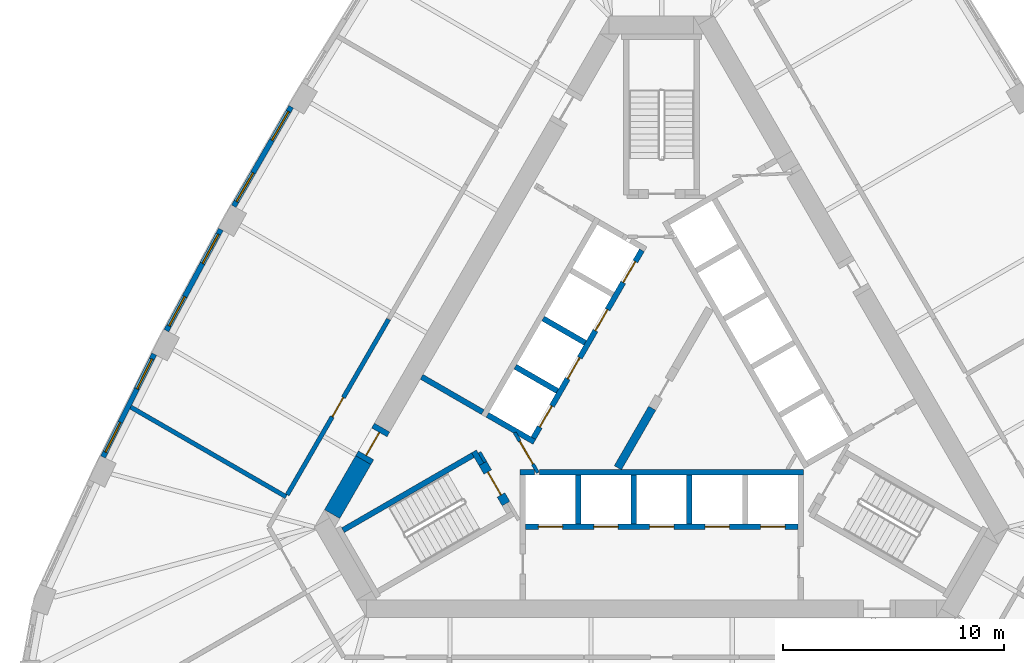
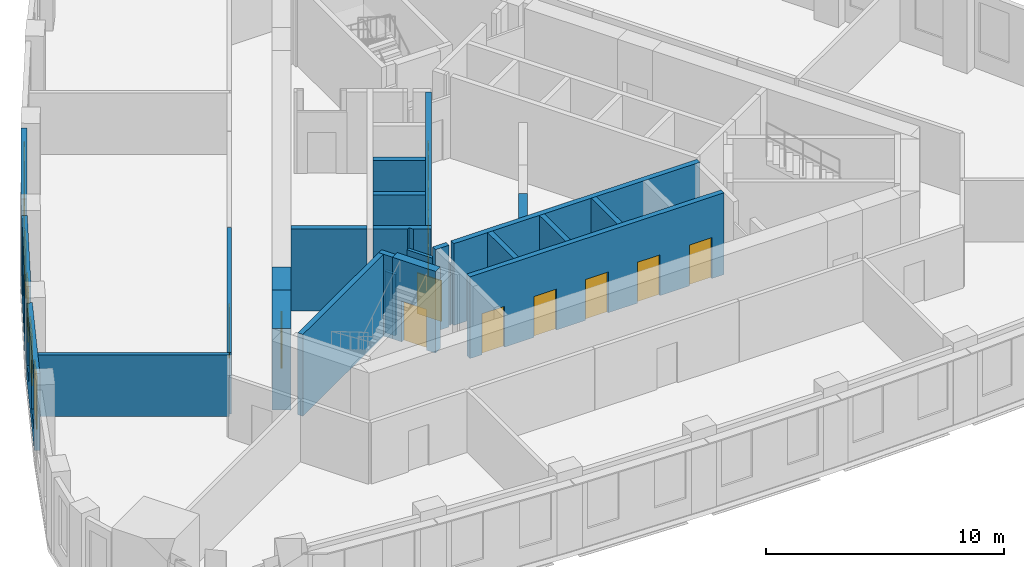
# One storey, part 4 of 9: 24 walls, 13 doors, 6 windows, 19 openings.
"""IFC4 building model written with IfcOpenShell, lengths in metres."""

import ifcopenshell
import ifcopenshell.guid

model = None  # the IFC model being written
_history = None  # IfcOwnerHistory: only IFC2X3 demands one
_inside = {}  # id of a spatial element -> (the spatial element, [elements in it])
_under = {}  # id of a project, library or spatial element -> (it, [spatial elements below it])
_declared = {}  # id of a project -> (the project, [libraries it declares])
_typed = {}  # id of a type object -> (the type object, [elements of that type])
_made_of = {}  # id of a material, layer set ... -> (it, [elements and type objects made of it])


def new_model(schema):
    """Start an empty IFC model of exactly this schema.

    Asked for "IFC4X3", IfcOpenShell would pick the latest addendum, in which some entities
    have other attributes; the version numbers below select the first issue.
    IFC2X3 requires an IfcOwnerHistory on every rooted entity: one is made here for all.
    """
    global model, _history
    if schema == "IFC4X3":
        model = ifcopenshell.file(schema_version=(4, 3, 0, 0))
    else:
        model = ifcopenshell.file(schema=schema)
    _inside.clear()
    _under.clear()
    _declared.clear()
    _typed.clear()
    _made_of.clear()
    _history = None
    if model.schema == "IFC2X3":
        org = make("IfcOrganization", Name="unknown")
        user = make(
            "IfcPersonAndOrganization",
            ThePerson=make("IfcPerson", FamilyName="unknown"),
            TheOrganization=org,
        )
        app = make(
            "IfcApplication",
            ApplicationDeveloper=org,
            Version="unknown",
            ApplicationFullName="unknown",
            ApplicationIdentifier="unknown",
        )
        _history = make(
            "IfcOwnerHistory",
            OwningUser=user,
            OwningApplication=app,
            ChangeAction="ADDED",
            CreationDate=0,
        )
    return model


def make(cls, **values):
    """One entity of the class cls with the attributes given. An attribute that is None is left unset."""
    return model.create_entity(
        cls, **{name: value for name, value in values.items() if value is not None}
    )


def rooted(cls, **values):
    """An entity with a GlobalId (a new one), such as an element, a storey or a relation."""
    return make(cls, GlobalId=ifcopenshell.guid.new(), OwnerHistory=_history, **values)


def si_unit(unit_type, name, prefix=None):
    """IfcSIUnit, for example si_unit("LENGTHUNIT", "METRE", prefix="MILLI")."""
    return make("IfcSIUnit", UnitType=unit_type, Prefix=prefix, Name=name)


def assignment(units):
    """IfcUnitAssignment: the units of a project."""
    return None if units is None else make("IfcUnitAssignment", Units=units)


def point(xyz):
    """IfcCartesianPoint."""
    return None if xyz is None else make("IfcCartesianPoint", Coordinates=xyz)


def direction(xyz):
    """IfcDirection."""
    return None if xyz is None else make("IfcDirection", DirectionRatios=xyz)


def frame(location, z_axis=None, x_axis=None):
    """IfcAxis2Placement3D, a coordinate frame: its origin and axes. An axis left out is left unset."""
    return make(
        "IfcAxis2Placement3D",
        Location=point(location),
        Axis=direction(z_axis),
        RefDirection=direction(x_axis),
    )


def frame_2d(location, x_axis=None):
    """IfcAxis2Placement2D, a coordinate frame in the plane: its origin and x axis."""
    return make(
        "IfcAxis2Placement2D", Location=point(location), RefDirection=direction(x_axis)
    )


def origin():
    """The frame at (0, 0, 0) with its axes left unset."""
    return frame((0.0, 0.0, 0.0))


def place(relative_to, where):
    """IfcLocalPlacement: puts the frame where relative to a parent placement (None: the world)."""
    return make(
        "IfcLocalPlacement", PlacementRelTo=relative_to, RelativePlacement=where
    )


def context(
    kind, dimensions, precision=None, world=None, true_north=None, identifier=None
):
    """IfcGeometricRepresentationContext, for example the 3D "Model" context."""
    return make(
        "IfcGeometricRepresentationContext",
        ContextIdentifier=identifier,
        ContextType=kind,
        CoordinateSpaceDimension=dimensions,
        Precision=precision,
        WorldCoordinateSystem=world,
        TrueNorth=true_north,
    )


def subcontext(parent, identifier, kind, view, scale=None):
    """IfcGeometricRepresentationSubContext, for example "Body" below "Model"."""
    return make(
        "IfcGeometricRepresentationSubContext",
        ContextIdentifier=identifier,
        ContextType=kind,
        ParentContext=parent,
        TargetScale=scale,
        TargetView=view,
    )


def project(units=None, contexts=None):
    """IfcProject with its units and contexts."""
    return rooted(
        "IfcProject",
        Name="project",
        RepresentationContexts=contexts,
        UnitsInContext=assignment(units),
    )


def spatial(cls, under=None, at=None, **own):
    """A site, building, storey or space (cls), placed at a placement, below another one or the project."""
    s = rooted(cls, ObjectPlacement=at, **own)
    if under is not None:
        _under.setdefault(under.id(), (under, []))[1].append(s)
    return s


def polyline(points):
    """IfcPolyline through the points."""
    return make("IfcPolyline", Points=[point(p) for p in points])


def profile(cls, at=None, kind="AREA", **sizes):
    """A parametric profile (cls). Its sizes go by their IFC names, for example OverallWidth=200.0."""
    return make(cls, ProfileType=kind, Position=at, **sizes)


def rectangle(**sizes):
    """IfcRectangleProfileDef."""
    return profile("IfcRectangleProfileDef", **sizes)


def outline(outer, holes=None, kind="AREA"):
    """IfcArbitraryClosedProfileDef: a profile drawn as a closed curve; with holes, ...WithVoids."""
    if holes is None:
        return make("IfcArbitraryClosedProfileDef", ProfileType=kind, OuterCurve=outer)
    return make(
        "IfcArbitraryProfileDefWithVoids",
        ProfileType=kind,
        OuterCurve=outer,
        InnerCurves=holes,
    )


def extrude(swept, where, along, depth):
    """IfcExtrudedAreaSolid: the profile swept, set in the frame where, extruded along a direction by depth."""
    return make(
        "IfcExtrudedAreaSolid",
        SweptArea=swept,
        Position=where,
        ExtrudedDirection=direction(along),
        Depth=depth,
    )


def shape(context_of_items, identifier, shape_type, items):
    """IfcShapeRepresentation: the items that make up one representation, for example the "Body"."""
    return make(
        "IfcShapeRepresentation",
        ContextOfItems=context_of_items,
        RepresentationIdentifier=identifier,
        RepresentationType=shape_type,
        Items=items,
    )


def material(Name=None, Category=None):
    """IfcMaterial."""
    return make("IfcMaterial", Name=Name, Category=Category)


def layer(
    of_material, thickness, ventilated=None, Name=None, Category=None, Priority=None
):
    """IfcMaterialLayer: one layer of a wall or slab, of a material (None: an air gap)."""
    return make(
        "IfcMaterialLayer",
        Material=of_material,
        LayerThickness=thickness,
        IsVentilated=ventilated,
        Name=Name,
        Category=Category,
        Priority=Priority,
    )


def layer_set(layers, Name=None):
    """IfcMaterialLayerSet."""
    return make("IfcMaterialLayerSet", MaterialLayers=layers, LayerSetName=Name)


def made_of(thing, what):
    """Note that an element or type object is made of a material, layer set ...; save() writes the relation."""
    if what is not None:
        _made_of.setdefault(what.id(), (what, []))[1].append(thing)
    return thing


def type_object(cls, material=None, **own):
    """A type object (cls), such as IfcWallType, which elements share."""
    return made_of(rooted(cls, **own), material)


def element(
    cls,
    number,
    at=None,
    inside=None,
    cuts=None,
    type_object=None,
    material=None,
    context=None,
    identifier="Body",
    shape_type=None,
    held_by="IfcProductDefinitionShape",
    body=None,
    shapes=None,
    **own,
):
    """One element of the class cls, such as IfcWall. Its Tag is "e" and its number.

    at: its placement. inside: the storey or other place that contains it. cuts: it is an
    opening in that element (IfcRelVoidsElement). A single representation is given by context,
    identifier, shape_type and body (its items); several are given by shapes. held_by: the class
    of the entity that holds the representations. save() writes the other relations.
    """
    e = rooted(cls, Tag="e%d" % number, ObjectPlacement=at, **own)
    if body is not None:
        shapes = [shape(context, identifier, shape_type, body)]
    if shapes is not None:
        e.Representation = make(held_by, Representations=shapes)
    if inside is not None:
        _inside.setdefault(inside.id(), (inside, []))[1].append(e)
    if cuts is not None:
        rooted(
            "IfcRelVoidsElement", RelatingBuildingElement=cuts, RelatedOpeningElement=e
        )
    if type_object is not None:
        _typed.setdefault(type_object.id(), (type_object, []))[1].append(e)
    return made_of(e, material)


def fill(opening, filler):
    """IfcRelFillsElement: the door or window that sits in an opening."""
    return rooted(
        "IfcRelFillsElement",
        RelatingOpeningElement=opening,
        RelatedBuildingElement=filler,
    )


def aggregate(whole, parts):
    """IfcRelAggregates: a whole, such as a stair, and the parts it consists of."""
    return rooted("IfcRelAggregates", RelatingObject=whole, RelatedObjects=parts)


def save(model, path):
    """Write the relations noted so far, then the file.

    IfcRelAggregates (storeys below a building ...), IfcRelContainedInSpatialStructure (elements
    in a storey), IfcRelDefinesByType, IfcRelAssociatesMaterial and IfcRelDeclares: one each for
    every whole, place, type object, material and project.
    """
    for whole, parts in _under.values():
        aggregate(whole, parts)
    for where, things in _inside.values():
        rooted(
            "IfcRelContainedInSpatialStructure",
            RelatedElements=things,
            RelatingStructure=where,
        )
    for kind, things in _typed.values():
        rooted("IfcRelDefinesByType", RelatedObjects=things, RelatingType=kind)
    for what, things in _made_of.values():
        rooted("IfcRelAssociatesMaterial", RelatedObjects=things, RelatingMaterial=what)
    for by, libraries in _declared.values():
        rooted("IfcRelDeclares", RelatingContext=by, RelatedDefinitions=libraries)
    model.write(path)


model = new_model("IFC4")

# Units and contexts
model_context = context("Model", 3, precision=1e-05, world=origin(), true_north=direction((0.0, 1.0)))
body_context = subcontext(model_context, "Body", "Model", "MODEL_VIEW")
ifc_project = project(units=[si_unit("LENGTHUNIT", "METRE"), si_unit("AREAUNIT", "SQUARE_METRE"), si_unit("VOLUMEUNIT", "CUBIC_METRE"), si_unit("PLANEANGLEUNIT", "RADIAN"), si_unit("MASSUNIT", "GRAM", prefix="KILO")], contexts=[model_context])

# Site, building, storey
site_placement = place(None, origin())
site = spatial("IfcSite", under=ifc_project, at=site_placement, CompositionType="ELEMENT")
building_placement = place(site_placement, origin())
building = spatial("IfcBuilding", under=site, at=building_placement, Name="Mestral Congress Tower", CompositionType="ELEMENT")
storey_placement = place(building_placement, frame((0.0, 0.0, 183.60009765625)))
storey = spatial("IfcBuildingStorey", under=building, at=storey_placement, Name="L43", CompositionType="ELEMENT", Elevation=183.60009765625)

# Walls
ifc_material_1 = material(Name="Fire-rated board partition")
ifc_layer_1 = layer(ifc_material_1, 0.14990234375)
ifc_layer_set_1 = layer_set([ifc_layer_1], Name="Fire-rated board partition")
wall_type_1 = type_object("IfcWallType", Name="Core partition 150", PredefinedType="PARTITIONING", material=ifc_layer_set_1)
wall_1_placement = place(storey_placement, frame((-8.251953125, -2.958251953125, 0.0), z_axis=(0.0, 0.0, 1.0), x_axis=(0.500174715838, -0.865924508047, 0.0)))
element("IfcWall", 1, at=wall_1_placement, inside=storey, type_object=wall_type_1, Name="L43 core wall", PredefinedType="PARTITIONING", context=body_context, shape_type="SweptSolid", body=[
    extrude(rectangle(XDim=0.513916015625, YDim=0.14990234375, at=frame_2d((0.2568359375, 0.0))), origin(), (0.0, 0.0, 1.0), 3.14990234375),
])
placement = place(storey_placement, origin())
element("IfcWall", 2, at=placement, inside=storey, type_object=wall_type_1, Name="L43 core wall", PredefinedType="PARTITIONING", context=body_context, shape_type="SweptSolid", body=[
    extrude(outline(polyline([(-0.590087890625, -0.871826171875), (-0.26513671875, -1.059326171875), (-1.822021484375, -3.755615234375), (-2.146728515625, -3.568115234375), (-0.590087890625, -0.871826171875)])), origin(), (0.0, 0.0, 1.0), 3.14990234375),
])

# Wall, opening, door
wall_3_placement = place(storey_placement, frame((-5.606201171875, -3.8896484375, 0.0), z_axis=(0.0, 0.0, 1.0), x_axis=(-0.500027713859, 0.866009402589, 0.0)))
wall_3 = element("IfcWall", 3, at=wall_3_placement, inside=storey, type_object=wall_type_1, Name="L43 door wall", PredefinedType="PARTITIONING", context=body_context, shape_type="SweptSolid", body=[
    extrude(rectangle(XDim=2.10009765625, YDim=0.14990234375, at=frame_2d((1.050048828125, 0.0))), origin(), (0.0, 0.0, 1.0), 3.14990234375),
])
opening_1_placement = place(wall_3_placement, frame((0.449951171875, 0.0, 0.0)))
opening_1 = element("IfcOpeningElement", 4, at=opening_1_placement, cuts=wall_3, Name="Opening CD3-FF", PredefinedType="OPENING", context=body_context, shape_type="SweptSolid", body=[
    extrude(rectangle(XDim=1.199951171875, YDim=2.10009765625, at=frame_2d((0.60009765625, 1.050048828125))), frame((0.0, 0.0849609375, 0.0), z_axis=(0.0, -1.0, 0.0), x_axis=(1.0, 0.0, 0.0)), (0.0, 0.0, 1.0), 0.169921875),
])
ifc_material_2 = material(Name="Fire-rated steel door set", Category="steel")
door_type_1 = type_object("IfcDoorType", Name="Core door CD 1200x2100", OperationType="SINGLE_SWING_LEFT", PredefinedType="DOOR", material=ifc_material_2)
door_1_placement = place(opening_1_placement, origin())
door_1 = element("IfcDoor", 5, at=door_1_placement, inside=storey, type_object=door_type_1, Name="Door CD3-FF", OperationType="SINGLE_SWING_LEFT", OverallHeight=2.10009765625, OverallWidth=1.199951171875, PredefinedType="DOOR", context=body_context, shape_type="SweptSolid", body=[
    extrude(rectangle(XDim=1.199951171875, YDim=2.10009765625, at=frame_2d((0.60009765625, 1.050048828125))), frame((0.0, 0.02490234375, 0.0), z_axis=(0.0, -1.0, 0.0), x_axis=(1.0, 0.0, 0.0)), (0.0, 0.0, 1.0), 0.050048828125),
])
fill(opening_1, door_1)

# Wall
ifc_material_3 = material(Name="Concrete C60/75", Category="concrete")
ifc_layer_2 = layer(ifc_material_3, 0.800048828125)
ifc_layer_set_2 = layer_set([ifc_layer_2], Name="Concrete C60/75")
wall_type_2 = type_object("IfcWallType", Name="Core wall RC 800", PredefinedType="SOLIDWALL", material=ifc_layer_set_2)
wall_4_placement = place(storey_placement, frame((-13.518310546875, -3.314208984375, 0.0), z_axis=(0.0, 0.0, 1.0), x_axis=(-0.499969377405, -0.866043083026, 0.0)))
element("IfcWall", 6, at=wall_4_placement, inside=storey, type_object=wall_type_2, Name="L43 core wall", PredefinedType="SOLIDWALL", context=body_context, shape_type="SweptSolid", body=[
    extrude(rectangle(XDim=2.824462890625, YDim=0.800048828125, at=frame_2d((1.412109375, 0.0))), origin(), (0.0, 0.0, 1.0), 4.199951171875),
])

# Wall, opening, door
wall_5_placement = place(storey_placement, frame((-13.518310546875, -3.314208984375, 0.0), z_axis=(0.0, 0.0, 1.0), x_axis=(0.500000056704, 0.866025371046, 0.0)))
wall_5 = element("IfcWall", 7, at=wall_5_placement, inside=storey, type_object=wall_type_2, Name="L43 door wall", PredefinedType="SOLIDWALL", context=body_context, shape_type="SweptSolid", body=[
    extrude(rectangle(XDim=1.7001953125, YDim=0.800048828125, at=frame_2d((0.85009765625, 0.0))), origin(), (0.0, 0.0, 1.0), 4.199951171875),
])
opening_2_placement = place(wall_5_placement, frame((0.25, 0.0, 0.0)))
opening_2 = element("IfcOpeningElement", 8, at=opening_2_placement, cuts=wall_5, Name="Opening XD3", PredefinedType="OPENING", context=body_context, shape_type="SweptSolid", body=[
    extrude(rectangle(XDim=1.199951171875, YDim=2.10009765625, at=frame_2d((0.60009765625, 1.050048828125))), frame((0.0, 0.409912109375, 0.0), z_axis=(0.0, -1.0, 0.0), x_axis=(1.0, 0.0, 0.0)), (0.0, 0.0, 1.0), 0.820068359375),
])
door_type_2 = type_object("IfcDoorType", Name="Core door XD 1200x2100", OperationType="SINGLE_SWING_LEFT", PredefinedType="DOOR", material=ifc_material_2)
door_2_placement = place(opening_2_placement, origin())
door_2 = element("IfcDoor", 9, at=door_2_placement, inside=storey, type_object=door_type_2, Name="Door XD3", OperationType="SINGLE_SWING_LEFT", OverallHeight=2.10009765625, OverallWidth=1.199951171875, PredefinedType="DOOR", context=body_context, shape_type="SweptSolid", body=[
    extrude(rectangle(XDim=1.199951171875, YDim=2.10009765625, at=frame_2d((0.60009765625, 1.050048828125))), frame((0.0, 0.02490234375, 0.0), z_axis=(0.0, -1.0, 0.0), x_axis=(1.0, 0.0, 0.0)), (0.0, 0.0, 1.0), 0.050048828125),
])
fill(opening_2, door_2)

# Wall, openings, windows
ifc_material_4 = material(Name="Precast concrete C40/50 with limestone facing", Category="masonry")
ifc_layer_3 = layer(ifc_material_4, 0.239990234375)
ifc_layer_set_3 = layer_set([ifc_layer_3], Name="Precast concrete C40/50 with limestone facing")
wall_type_3 = type_object("IfcWallType", Name="Facade stone wall 240", PredefinedType="SOLIDWALL", material=ifc_layer_set_3)
wall_6_placement = place(storey_placement, frame((-16.788818359375, 12.697265625, 0.0), z_axis=(0.0, 0.0, 1.0), x_axis=(-0.500009456303, -0.866019944116, 0.0)))
wall_6 = element("IfcWall", 10, at=wall_6_placement, inside=storey, type_object=wall_type_3, Name="Facade wall F2-03", PredefinedType="SOLIDWALL", context=body_context, shape_type="SweptSolid", body=[
    extrude(rectangle(XDim=5.20361328125, YDim=0.239990234375, at=frame_2d((2.601806640625, 0.0))), origin(), (0.0, 0.0, 1.0), 3.949951171875),
])
opening_3_placement = place(wall_6_placement, frame((0.248291015625, 0.0, 0.89990234375)))
opening_3 = element("IfcOpeningElement", 11, at=opening_3_placement, cuts=wall_6, Name="Opening W4", PredefinedType="OPENING", context=body_context, shape_type="SweptSolid", body=[
    extrude(rectangle(XDim=1.5, YDim=2.550048828125, at=frame_2d((0.75, 1.27490234375))), frame((0.0, 0.1298828125, 0.0), z_axis=(0.0, -1.0, 0.0), x_axis=(1.0, 0.0, 0.0)), (0.0, 0.0, 1.0), 0.260009765625),
])
opening_4_placement = place(wall_6_placement, frame((3.455078125, 0.0, 0.89990234375)))
opening_4 = element("IfcOpeningElement", 12, at=opening_4_placement, cuts=wall_6, Name="Opening W4", PredefinedType="OPENING", context=body_context, shape_type="SweptSolid", body=[
    extrude(rectangle(XDim=1.5, YDim=2.550048828125, at=frame_2d((0.75, 1.27490234375))), frame((0.0, 0.1298828125, 0.0), z_axis=(0.0, -1.0, 0.0), x_axis=(1.0, 0.0, 0.0)), (0.0, 0.0, 1.0), 0.260009765625),
])
ifc_material_5 = material(Name="Clear low-emissivity double glazing", Category="glass")
window_type = type_object("IfcWindowType", Name="Facade punched window 1500 x 2550 sill 900", PartitioningType="SINGLE_PANEL", PredefinedType="WINDOW", material=ifc_material_5)
window_1_placement = place(opening_3_placement, origin())
window_1 = element("IfcWindow", 13, at=window_1_placement, inside=storey, type_object=window_type, Name="Window F2-03a", OverallHeight=2.550048828125, OverallWidth=1.5, PartitioningType="SINGLE_PANEL", PredefinedType="WINDOW", context=body_context, shape_type="SweptSolid", body=[
    extrude(rectangle(XDim=1.5, YDim=2.550048828125, at=frame_2d((0.75, 1.27490234375))), frame((0.0, 0.0400390625, 0.0), z_axis=(0.0, -1.0, 0.0), x_axis=(1.0, 0.0, 0.0)), (0.0, 0.0, 1.0), 0.06005859375),
])
fill(opening_3, window_1)
window_2_placement = place(opening_4_placement, origin())
window_2 = element("IfcWindow", 14, at=window_2_placement, inside=storey, type_object=window_type, Name="Window F2-03b", OverallHeight=2.550048828125, OverallWidth=1.5, PartitioningType="SINGLE_PANEL", PredefinedType="WINDOW", context=body_context, shape_type="SweptSolid", body=[
    extrude(rectangle(XDim=1.5, YDim=2.550048828125, at=frame_2d((0.75, 1.27490234375))), frame((0.0, 0.0400390625, 0.0), z_axis=(0.0, -1.0, 0.0), x_axis=(1.0, 0.0, 0.0)), (0.0, 0.0, 1.0), 0.06005859375),
])
fill(opening_4, window_2)

wall_7_placement = place(storey_placement, frame((-19.976806640625, 7.138671875, 0.0), z_axis=(0.0, 0.0, 1.0), x_axis=(-0.473349833294, -0.880874528704, 0.0)))
wall_7 = element("IfcWall", 15, at=wall_7_placement, inside=storey, type_object=wall_type_3, Name="Facade wall F2-04", PredefinedType="SOLIDWALL", context=body_context, shape_type="SweptSolid", body=[
    extrude(rectangle(XDim=5.20361328125, YDim=0.239990234375, at=frame_2d((2.601806640625, 0.0))), origin(), (0.0, 0.0, 1.0), 3.949951171875),
])
opening_5_placement = place(wall_7_placement, frame((0.248291015625, 0.0, 0.89990234375)))
opening_5 = element("IfcOpeningElement", 16, at=opening_5_placement, cuts=wall_7, Name="Opening W4", PredefinedType="OPENING", context=body_context, shape_type="SweptSolid", body=[
    extrude(rectangle(XDim=1.5, YDim=2.550048828125, at=frame_2d((0.75, 1.27490234375))), frame((0.0, 0.1298828125, 0.0), z_axis=(0.0, -1.0, 0.0), x_axis=(1.0, 0.0, 0.0)), (0.0, 0.0, 1.0), 0.260009765625),
])
opening_6_placement = place(wall_7_placement, frame((3.455078125, 0.0, 0.89990234375)))
opening_6 = element("IfcOpeningElement", 17, at=opening_6_placement, cuts=wall_7, Name="Opening W4", PredefinedType="OPENING", context=body_context, shape_type="SweptSolid", body=[
    extrude(rectangle(XDim=1.5, YDim=2.550048828125, at=frame_2d((0.75, 1.27490234375))), frame((0.0, 0.1298828125, 0.0), z_axis=(0.0, -1.0, 0.0), x_axis=(1.0, 0.0, 0.0)), (0.0, 0.0, 1.0), 0.260009765625),
])
window_3_placement = place(opening_5_placement, origin())
window_3 = element("IfcWindow", 18, at=window_3_placement, inside=storey, type_object=window_type, Name="Window F2-04a", OverallHeight=2.550048828125, OverallWidth=1.5, PartitioningType="SINGLE_PANEL", PredefinedType="WINDOW", context=body_context, shape_type="SweptSolid", body=[
    extrude(rectangle(XDim=1.5, YDim=2.550048828125, at=frame_2d((0.75, 1.27490234375))), frame((0.0, 0.0400390625, 0.0), z_axis=(0.0, -1.0, 0.0), x_axis=(1.0, 0.0, 0.0)), (0.0, 0.0, 1.0), 0.06005859375),
])
fill(opening_5, window_3)
window_4_placement = place(opening_6_placement, origin())
window_4 = element("IfcWindow", 19, at=window_4_placement, inside=storey, type_object=window_type, Name="Window F2-04b", OverallHeight=2.550048828125, OverallWidth=1.5, PartitioningType="SINGLE_PANEL", PredefinedType="WINDOW", context=body_context, shape_type="SweptSolid", body=[
    extrude(rectangle(XDim=1.5, YDim=2.550048828125, at=frame_2d((0.75, 1.27490234375))), frame((0.0, 0.0400390625, 0.0), z_axis=(0.0, -1.0, 0.0), x_axis=(1.0, 0.0, 0.0)), (0.0, 0.0, 1.0), 0.06005859375),
])
fill(opening_6, window_4)

wall_8_placement = place(storey_placement, frame((-22.993896484375, 1.485107421875, 0.0), z_axis=(0.0, 0.0, 1.0), x_axis=(-0.446256171312, -0.8949052629, 0.0)))
wall_8 = element("IfcWall", 20, at=wall_8_placement, inside=storey, type_object=wall_type_3, Name="Facade wall F2-05", PredefinedType="SOLIDWALL", context=body_context, shape_type="SweptSolid", body=[
    extrude(rectangle(XDim=5.203369140625, YDim=0.239990234375, at=frame_2d((2.6015625, 0.0))), origin(), (0.0, 0.0, 1.0), 3.949951171875),
])
opening_7_placement = place(wall_8_placement, frame((0.248291015625, 0.0, 0.89990234375)))
opening_7 = element("IfcOpeningElement", 21, at=opening_7_placement, cuts=wall_8, Name="Opening W4", PredefinedType="OPENING", context=body_context, shape_type="SweptSolid", body=[
    extrude(rectangle(XDim=1.5, YDim=2.550048828125, at=frame_2d((0.75, 1.27490234375))), frame((0.0, 0.1298828125, 0.0), z_axis=(0.0, -1.0, 0.0), x_axis=(1.0, 0.0, 0.0)), (0.0, 0.0, 1.0), 0.260009765625),
])
opening_8_placement = place(wall_8_placement, frame((3.455078125, 0.0, 0.89990234375)))
opening_8 = element("IfcOpeningElement", 22, at=opening_8_placement, cuts=wall_8, Name="Opening W4", PredefinedType="OPENING", context=body_context, shape_type="SweptSolid", body=[
    extrude(rectangle(XDim=1.5, YDim=2.550048828125, at=frame_2d((0.75, 1.27490234375))), frame((0.0, 0.1298828125, 0.0), z_axis=(0.0, -1.0, 0.0), x_axis=(1.0, 0.0, 0.0)), (0.0, 0.0, 1.0), 0.260009765625),
])
window_5_placement = place(opening_7_placement, origin())
window_5 = element("IfcWindow", 23, at=window_5_placement, inside=storey, type_object=window_type, Name="Window F2-05a", OverallHeight=2.550048828125, OverallWidth=1.5, PartitioningType="SINGLE_PANEL", PredefinedType="WINDOW", context=body_context, shape_type="SweptSolid", body=[
    extrude(rectangle(XDim=1.5, YDim=2.550048828125, at=frame_2d((0.75, 1.27490234375))), frame((0.0, 0.0400390625, 0.0), z_axis=(0.0, -1.0, 0.0), x_axis=(1.0, 0.0, 0.0)), (0.0, 0.0, 1.0), 0.06005859375),
])
fill(opening_7, window_5)
window_6_placement = place(opening_8_placement, origin())
window_6 = element("IfcWindow", 24, at=window_6_placement, inside=storey, type_object=window_type, Name="Window F2-05b", OverallHeight=2.550048828125, OverallWidth=1.5, PartitioningType="SINGLE_PANEL", PredefinedType="WINDOW", context=body_context, shape_type="SweptSolid", body=[
    extrude(rectangle(XDim=1.5, YDim=2.550048828125, at=frame_2d((0.75, 1.27490234375))), frame((0.0, 0.0400390625, 0.0), z_axis=(0.0, -1.0, 0.0), x_axis=(1.0, 0.0, 0.0)), (0.0, 0.0, 1.0), 0.06005859375),
])
fill(opening_8, window_6)

# Wall
ifc_material_6 = material(Name="Dense masonry wall, plastered", Category="masonry")
ifc_layer_4 = layer(ifc_material_6, 0.199951171875)
ifc_layer_set_4 = layer_set([ifc_layer_4], Name="Dense masonry wall, plastered")
wall_type_4 = type_object("IfcWallType", Name="Office tenancy wall 200", PredefinedType="PARTITIONING", material=ifc_layer_set_4)
wall_9_placement = place(storey_placement, frame((-17.017822265625, -4.9755859375, 0.0), z_axis=(0.0, 0.0, 1.0), x_axis=(-0.866034495264, 0.499984252764, 0.0)))
element("IfcWall", 25, at=wall_9_placement, inside=storey, type_object=wall_type_4, Name="Tenancy wall", PredefinedType="PARTITIONING", context=body_context, shape_type="SweptSolid", body=[
    extrude(rectangle(XDim=8.126220703125, YDim=0.199951171875, at=frame_2d((4.06298828125, 0.0))), origin(), (0.0, 0.0, 1.0), 3.14990234375),
])

# Wall, opening, door
wall_10_placement = place(storey_placement, frame((-12.373779296875, 3.06787109375, 0.0), z_axis=(0.0, 0.0, 1.0), x_axis=(-0.50000000053, -0.866025403479, 0.0)))
wall_10 = element("IfcWall", 26, at=wall_10_placement, inside=storey, type_object=wall_type_4, Name="Tenancy wall", PredefinedType="PARTITIONING", context=body_context, shape_type="SweptSolid", body=[
    extrude(rectangle(XDim=9.18798828125, YDim=0.199951171875, at=frame_2d((4.593994140625, 0.0))), origin(), (0.0, 0.0, 1.0), 3.14990234375),
])
opening_9_placement = place(wall_10_placement, frame((4.10009765625, 0.0, 0.0)))
opening_9 = element("IfcOpeningElement", 27, at=opening_9_placement, cuts=wall_10, Name="Opening O04-008", PredefinedType="OPENING", context=body_context, shape_type="SweptSolid", body=[
    extrude(rectangle(XDim=1.0, YDim=2.10009765625, at=frame_2d((0.5, 1.050048828125))), frame((0.0, 0.10986328125, 0.0), z_axis=(0.0, -1.0, 0.0), x_axis=(1.0, 0.0, 0.0)), (0.0, 0.0, 1.0), 0.219970703125),
])
ifc_material_7 = material(Name="Fire-rated timber door set", Category="wood")
door_type_3 = type_object("IfcDoorType", Name="Office tenancy entrance door 1000x2100", OperationType="SINGLE_SWING_LEFT", PredefinedType="DOOR", material=ifc_material_7)
door_3_placement = place(opening_9_placement, origin())
door_3 = element("IfcDoor", 28, at=door_3_placement, inside=storey, type_object=door_type_3, Name="Door O04-008", OperationType="SINGLE_SWING_RIGHT", OverallHeight=2.10009765625, OverallWidth=1.0, PredefinedType="DOOR", context=body_context, shape_type="SweptSolid", body=[
    extrude(rectangle(XDim=1.0, YDim=2.10009765625, at=frame_2d((0.5, 1.050048828125))), frame((0.0, 0.02490234375, 0.0), z_axis=(0.0, -1.0, 0.0), x_axis=(1.0, 0.0, 0.0)), (0.0, 0.0, 1.0), 0.050048828125),
])
fill(opening_9, door_3)

# Walls
ifc_layer_5 = layer(ifc_material_3, 0.25)
ifc_layer_set_5 = layer_set([ifc_layer_5], Name="Concrete C60/75")
wall_type_5 = type_object("IfcWallType", Name="Shaft wall RC 250", PredefinedType="SOLIDWALL", material=ifc_layer_set_5)
wall_11_placement = place(storey_placement, frame((-5.544921875, -3.875, 0.0), z_axis=(0.0, 0.0, 1.0), x_axis=(1.0, 0.0, 0.0)))
element("IfcWall", 29, at=wall_11_placement, inside=storey, type_object=wall_type_5, Name="L43 core wall", PredefinedType="SOLIDWALL", context=body_context, shape_type="SweptSolid", body=[
    extrude(rectangle(XDim=11.969970703125, YDim=0.25, at=frame_2d((5.98486328125, 0.0))), origin(), (0.0, 0.0, 1.0), 4.199951171875),
])
wall_12_placement = place(storey_placement, frame((-6.425048828125, -3.875, 0.0), z_axis=(0.0, 0.0, 1.0), x_axis=(1.0, 0.0, 0.0)))
element("IfcWall", 30, at=wall_12_placement, inside=storey, type_object=wall_type_5, Name="L43 core wall", PredefinedType="SOLIDWALL", context=body_context, shape_type="SweptSolid", body=[
    extrude(rectangle(XDim=0.657958984375, YDim=0.25, at=frame_2d((0.3291015625, 0.0))), origin(), (0.0, 0.0, 1.0), 4.199951171875),
])
for number, where, z_axis, x_axis, name in (
    (31, (1.260009765625, -4.0, 0.0), (0.0, 0.0, 1.0), (0.0, -1.0, 0.0), "L43 core wall"),
    (32, (-1.260009765625, -4.0, 0.0), (0.0, 0.0, 1.0), (0.0, -1.0, 0.0), "L43 core wall"),
    (33, (-3.780029296875, -4.0, 0.0), (0.0, 0.0, 1.0), (0.0, -1.0, 0.0), "L43 core wall"),
    (34, (-5.369384765625, 3.10009765625, 0.0), (0.0, 0.0, 1.0), (0.866008176907, -0.50002983664, 0.0), "L43 core wall"),
    (35, (-4.72412109375, -0.182373046875, 0.0), (0.0, 0.0, 1.0), (-0.866008176907, 0.50002983664, 0.0), "L43 core wall"),
):
    element("IfcWall", number, at=place(storey_placement, frame(where, z_axis=z_axis, x_axis=x_axis)), inside=storey, type_object=wall_type_5, Name=name, PredefinedType="SOLIDWALL", context=body_context, shape_type="SweptSolid", body=[
        extrude(rectangle(XDim=2.199951171875, YDim=0.25, at=frame_2d((1.10009765625, 0.0))), origin(), (0.0, 0.0, 1.0), 4.199951171875),
    ])
element("IfcWall", 36, at=placement, inside=storey, type_object=wall_type_5, Name="L43 core wall", PredefinedType="SOLIDWALL", context=body_context, shape_type="SweptSolid", body=[
    extrude(outline(polyline([(-5.921630859375, -2.256591796875), (-5.921630859375, -2.256591796875), (-5.705078125, -2.381591796875), (-5.830078125, -2.597900390625), (-6.48291015625, -2.22119140625), (-6.59130859375, -2.033447265625), (-6.59130859375, -2.033447265625), (-6.69970703125, -2.095947265625), (-7.951904296875, -1.373046875), (-7.826904296875, -1.156494140625), (-5.921630859375, -2.256591796875)])), origin(), (0.0, 0.0, 1.0), 4.199951171875),
])
wall_14_placement = place(storey_placement, frame((-8.10595703125, -1.139892578125, 0.0), z_axis=(0.0, 0.0, 1.0), x_axis=(-0.866008981251, 0.500028443584, 0.0)))
element("IfcWall", 37, at=wall_14_placement, inside=storey, type_object=wall_type_5, Name="L43 core wall", PredefinedType="SOLIDWALL", context=body_context, shape_type="SweptSolid", body=[
    extrude(rectangle(XDim=3.199951171875, YDim=0.25, at=frame_2d((1.60009765625, 0.0))), origin(), (0.0, 0.0, 1.0), 4.199951171875),
])

# Wall, openings, doors
wall_15_placement = place(storey_placement, frame((-6.175048828125, -6.324951171875, 0.0), z_axis=(0.0, 0.0, 1.0), x_axis=(1.0, 0.0, 0.0)))
wall_15 = element("IfcWall", 38, at=wall_15_placement, inside=storey, type_object=wall_type_5, Name="L43 door wall", PredefinedType="SOLIDWALL", context=body_context, shape_type="SweptSolid", body=[
    extrude(rectangle(XDim=12.35009765625, YDim=0.25, at=frame_2d((6.175048828125, 0.0))), origin(), (0.0, 0.0, 1.0), 4.199951171875),
])
opening_10_placement = place(wall_15_placement, frame((0.5849609375, 0.0, 0.0)))
opening_10 = element("IfcOpeningElement", 39, at=opening_10_placement, cuts=wall_15, Name="Opening LD-SOB1", PredefinedType="OPENING", context=body_context, shape_type="SweptSolid", body=[
    extrude(rectangle(XDim=1.10009765625, YDim=2.10009765625, at=frame_2d((0.550048828125, 1.050048828125))), frame((0.0, 0.135009765625, 0.0), z_axis=(0.0, -1.0, 0.0), x_axis=(1.0, 0.0, 0.0)), (0.0, 0.0, 1.0), 0.27001953125),
])
opening_11_placement = place(wall_15_placement, frame((3.10498046875, 0.0, 0.0)))
opening_11 = element("IfcOpeningElement", 40, at=opening_11_placement, cuts=wall_15, Name="Opening LD-SOB2", PredefinedType="OPENING", context=body_context, shape_type="SweptSolid", body=[
    extrude(rectangle(XDim=1.10009765625, YDim=2.10009765625, at=frame_2d((0.550048828125, 1.050048828125))), frame((0.0, 0.135009765625, 0.0), z_axis=(0.0, -1.0, 0.0), x_axis=(1.0, 0.0, 0.0)), (0.0, 0.0, 1.0), 0.27001953125),
])
opening_12_placement = place(wall_15_placement, frame((5.625, 0.0, 0.0)))
opening_12 = element("IfcOpeningElement", 41, at=opening_12_placement, cuts=wall_15, Name="Opening LD-SOB3", PredefinedType="OPENING", context=body_context, shape_type="SweptSolid", body=[
    extrude(rectangle(XDim=1.10009765625, YDim=2.10009765625, at=frame_2d((0.550048828125, 1.050048828125))), frame((0.0, 0.135009765625, 0.0), z_axis=(0.0, -1.0, 0.0), x_axis=(1.0, 0.0, 0.0)), (0.0, 0.0, 1.0), 0.27001953125),
])
opening_13_placement = place(wall_15_placement, frame((8.14501953125, 0.0, 0.0)))
opening_13 = element("IfcOpeningElement", 42, at=opening_13_placement, cuts=wall_15, Name="Opening LD-SOB4", PredefinedType="OPENING", context=body_context, shape_type="SweptSolid", body=[
    extrude(rectangle(XDim=1.10009765625, YDim=2.10009765625, at=frame_2d((0.550048828125, 1.050048828125))), frame((0.0, 0.135009765625, 0.0), z_axis=(0.0, -1.0, 0.0), x_axis=(1.0, 0.0, 0.0)), (0.0, 0.0, 1.0), 0.27001953125),
])
opening_14_placement = place(wall_15_placement, frame((10.6650390625, 0.0, 0.0)))
opening_14 = element("IfcOpeningElement", 43, at=opening_14_placement, cuts=wall_15, Name="Opening LD-SOB5", PredefinedType="OPENING", context=body_context, shape_type="SweptSolid", body=[
    extrude(rectangle(XDim=1.10009765625, YDim=2.10009765625, at=frame_2d((0.550048828125, 1.050048828125))), frame((0.0, 0.135009765625, 0.0), z_axis=(0.0, -1.0, 0.0), x_axis=(1.0, 0.0, 0.0)), (0.0, 0.0, 1.0), 0.27001953125),
])
door_type_4 = type_object("IfcDoorType", Name="Core door LD 1100x2100", OperationType="DOUBLE_DOOR_SLIDING", PredefinedType="DOOR", material=ifc_material_2)
door_4_placement = place(opening_10_placement, origin())
door_4 = element("IfcDoor", 44, at=door_4_placement, inside=storey, type_object=door_type_4, Name="Door LD-SOB1", OperationType="DOUBLE_DOOR_SLIDING", OverallHeight=2.10009765625, OverallWidth=1.10009765625, PredefinedType="DOOR", context=body_context, shape_type="SweptSolid", body=[
    extrude(rectangle(XDim=1.10009765625, YDim=2.10009765625, at=frame_2d((0.550048828125, 1.050048828125))), frame((0.0, 0.02490234375, 0.0), z_axis=(0.0, -1.0, 0.0), x_axis=(1.0, 0.0, 0.0)), (0.0, 0.0, 1.0), 0.050048828125),
])
fill(opening_10, door_4)
door_5_placement = place(opening_11_placement, origin())
door_5 = element("IfcDoor", 45, at=door_5_placement, inside=storey, type_object=door_type_4, Name="Door LD-SOB2", OperationType="DOUBLE_DOOR_SLIDING", OverallHeight=2.10009765625, OverallWidth=1.10009765625, PredefinedType="DOOR", context=body_context, shape_type="SweptSolid", body=[
    extrude(rectangle(XDim=1.10009765625, YDim=2.10009765625, at=frame_2d((0.550048828125, 1.050048828125))), frame((0.0, 0.02490234375, 0.0), z_axis=(0.0, -1.0, 0.0), x_axis=(1.0, 0.0, 0.0)), (0.0, 0.0, 1.0), 0.050048828125),
])
fill(opening_11, door_5)
door_6_placement = place(opening_12_placement, origin())
door_6 = element("IfcDoor", 46, at=door_6_placement, inside=storey, type_object=door_type_4, Name="Door LD-SOB3", OperationType="DOUBLE_DOOR_SLIDING", OverallHeight=2.10009765625, OverallWidth=1.10009765625, PredefinedType="DOOR", context=body_context, shape_type="SweptSolid", body=[
    extrude(rectangle(XDim=1.10009765625, YDim=2.10009765625, at=frame_2d((0.550048828125, 1.050048828125))), frame((0.0, 0.02490234375, 0.0), z_axis=(0.0, -1.0, 0.0), x_axis=(1.0, 0.0, 0.0)), (0.0, 0.0, 1.0), 0.050048828125),
])
fill(opening_12, door_6)
door_7_placement = place(opening_13_placement, origin())
door_7 = element("IfcDoor", 47, at=door_7_placement, inside=storey, type_object=door_type_4, Name="Door LD-SOB4", OperationType="DOUBLE_DOOR_SLIDING", OverallHeight=2.10009765625, OverallWidth=1.10009765625, PredefinedType="DOOR", context=body_context, shape_type="SweptSolid", body=[
    extrude(rectangle(XDim=1.10009765625, YDim=2.10009765625, at=frame_2d((0.550048828125, 1.050048828125))), frame((0.0, 0.02490234375, 0.0), z_axis=(0.0, -1.0, 0.0), x_axis=(1.0, 0.0, 0.0)), (0.0, 0.0, 1.0), 0.050048828125),
])
fill(opening_13, door_7)
door_8_placement = place(opening_14_placement, origin())
door_8 = element("IfcDoor", 48, at=door_8_placement, inside=storey, type_object=door_type_4, Name="Door LD-SOB5", OperationType="DOUBLE_DOOR_SLIDING", OverallHeight=2.10009765625, OverallWidth=1.10009765625, PredefinedType="DOOR", context=body_context, shape_type="SweptSolid", body=[
    extrude(rectangle(XDim=1.10009765625, YDim=2.10009765625, at=frame_2d((0.550048828125, 1.050048828125))), frame((0.0, 0.02490234375, 0.0), z_axis=(0.0, -1.0, 0.0), x_axis=(1.0, 0.0, 0.0)), (0.0, 0.0, 1.0), 0.050048828125),
])
fill(opening_14, door_8)

wall_16_placement = place(storey_placement, frame((-0.898193359375, 6.194091796875, 0.0), z_axis=(0.0, 0.0, 1.0), x_axis=(-0.499996202215, -0.866027596426, 0.0)))
wall_16 = element("IfcWall", 49, at=wall_16_placement, inside=storey, type_object=wall_type_5, Name="L43 door wall", PredefinedType="SOLIDWALL", context=body_context, shape_type="SweptSolid", body=[
    extrude(rectangle(XDim=9.830078125, YDim=0.25, at=frame_2d((4.9150390625, 0.0))), origin(), (0.0, 0.0, 1.0), 4.199951171875),
])
opening_15_placement = place(wall_16_placement, frame((0.5849609375, 0.0, 0.0)))
opening_15 = element("IfcOpeningElement", 50, at=opening_15_placement, cuts=wall_16, Name="Opening LD-NWB1", PredefinedType="OPENING", context=body_context, shape_type="SweptSolid", body=[
    extrude(rectangle(XDim=1.10009765625, YDim=2.10009765625, at=frame_2d((0.550048828125, 1.050048828125))), frame((0.0, 0.135009765625, 0.0), z_axis=(0.0, -1.0, 0.0), x_axis=(1.0, 0.0, 0.0)), (0.0, 0.0, 1.0), 0.27001953125),
])
opening_16_placement = place(wall_16_placement, frame((3.10498046875, 0.0, 0.0)))
opening_16 = element("IfcOpeningElement", 51, at=opening_16_placement, cuts=wall_16, Name="Opening LD-NWB2", PredefinedType="OPENING", context=body_context, shape_type="SweptSolid", body=[
    extrude(rectangle(XDim=1.10009765625, YDim=2.10009765625, at=frame_2d((0.550048828125, 1.050048828125))), frame((0.0, 0.135009765625, 0.0), z_axis=(0.0, -1.0, 0.0), x_axis=(1.0, 0.0, 0.0)), (0.0, 0.0, 1.0), 0.27001953125),
])
opening_17_placement = place(wall_16_placement, frame((5.625, 0.0, 0.0)))
opening_17 = element("IfcOpeningElement", 52, at=opening_17_placement, cuts=wall_16, Name="Opening LD-NWB3", PredefinedType="OPENING", context=body_context, shape_type="SweptSolid", body=[
    extrude(rectangle(XDim=1.10009765625, YDim=2.10009765625, at=frame_2d((0.550048828125, 1.050048828125))), frame((0.0, 0.135009765625, 0.0), z_axis=(0.0, -1.0, 0.0), x_axis=(1.0, 0.0, 0.0)), (0.0, 0.0, 1.0), 0.27001953125),
])
opening_18_placement = place(wall_16_placement, frame((8.14501953125, 0.0, 0.0)))
opening_18 = element("IfcOpeningElement", 53, at=opening_18_placement, cuts=wall_16, Name="Opening LD-NWB4", PredefinedType="OPENING", context=body_context, shape_type="SweptSolid", body=[
    extrude(rectangle(XDim=1.10009765625, YDim=2.10009765625, at=frame_2d((0.550048828125, 1.050048828125))), frame((0.0, 0.135009765625, 0.0), z_axis=(0.0, -1.0, 0.0), x_axis=(1.0, 0.0, 0.0)), (0.0, 0.0, 1.0), 0.27001953125),
])
door_9_placement = place(opening_15_placement, origin())
door_9 = element("IfcDoor", 54, at=door_9_placement, inside=storey, type_object=door_type_4, Name="Door LD-NWB1", OperationType="DOUBLE_DOOR_SLIDING", OverallHeight=2.10009765625, OverallWidth=1.10009765625, PredefinedType="DOOR", context=body_context, shape_type="SweptSolid", body=[
    extrude(rectangle(XDim=1.10009765625, YDim=2.10009765625, at=frame_2d((0.550048828125, 1.050048828125))), frame((0.0, 0.02490234375, 0.0), z_axis=(0.0, -1.0, 0.0), x_axis=(1.0, 0.0, 0.0)), (0.0, 0.0, 1.0), 0.050048828125),
])
fill(opening_15, door_9)
door_10_placement = place(opening_16_placement, origin())
door_10 = element("IfcDoor", 55, at=door_10_placement, inside=storey, type_object=door_type_4, Name="Door LD-NWB2", OperationType="DOUBLE_DOOR_SLIDING", OverallHeight=2.10009765625, OverallWidth=1.10009765625, PredefinedType="DOOR", context=body_context, shape_type="SweptSolid", body=[
    extrude(rectangle(XDim=1.10009765625, YDim=2.10009765625, at=frame_2d((0.550048828125, 1.050048828125))), frame((0.0, 0.02490234375, 0.0), z_axis=(0.0, -1.0, 0.0), x_axis=(1.0, 0.0, 0.0)), (0.0, 0.0, 1.0), 0.050048828125),
])
fill(opening_16, door_10)
door_11_placement = place(opening_17_placement, origin())
door_11 = element("IfcDoor", 56, at=door_11_placement, inside=storey, type_object=door_type_4, Name="Door LD-NWB3", OperationType="DOUBLE_DOOR_SLIDING", OverallHeight=2.10009765625, OverallWidth=1.10009765625, PredefinedType="DOOR", context=body_context, shape_type="SweptSolid", body=[
    extrude(rectangle(XDim=1.10009765625, YDim=2.10009765625, at=frame_2d((0.550048828125, 1.050048828125))), frame((0.0, 0.02490234375, 0.0), z_axis=(0.0, -1.0, 0.0), x_axis=(1.0, 0.0, 0.0)), (0.0, 0.0, 1.0), 0.050048828125),
])
fill(opening_17, door_11)
door_12_placement = place(opening_18_placement, origin())
door_12 = element("IfcDoor", 57, at=door_12_placement, inside=storey, type_object=door_type_4, Name="Door LD-NWB4", OperationType="DOUBLE_DOOR_SLIDING", OverallHeight=2.10009765625, OverallWidth=1.10009765625, PredefinedType="DOOR", context=body_context, shape_type="SweptSolid", body=[
    extrude(rectangle(XDim=1.10009765625, YDim=2.10009765625, at=frame_2d((0.550048828125, 1.050048828125))), frame((0.0, 0.02490234375, 0.0), z_axis=(0.0, -1.0, 0.0), x_axis=(1.0, 0.0, 0.0)), (0.0, 0.0, 1.0), 0.050048828125),
])
fill(opening_18, door_12)

# Walls
ifc_layer_6 = layer(ifc_material_3, 0.25)
ifc_layer_set_6 = layer_set([ifc_layer_6], Name="Concrete C60/75")
wall_type_6 = type_object("IfcWallType", Name="Stair wall RC 250", PredefinedType="SOLIDWALL", material=ifc_layer_set_6)
wall_17_placement = place(storey_placement, frame((-14.43994140625, -6.489501953125, 0.0), z_axis=(0.0, 0.0, 1.0), x_axis=(0.866022966069, 0.500004222222, 0.0)))
element("IfcWall", 58, at=wall_17_placement, inside=storey, type_object=wall_type_6, Name="L43 core wall", PredefinedType="SOLIDWALL", context=body_context, shape_type="SweptSolid", body=[
    extrude(rectangle(XDim=6.80029296875, YDim=0.25, at=frame_2d((3.400146484375, 0.0))), origin(), (0.0, 0.0, 1.0), 4.199951171875),
])
wall_18_placement = place(storey_placement, frame((-8.167724609375, -3.503173828125, 0.0), z_axis=(0.0, 0.0, 1.0), x_axis=(-0.499952099219, 0.866053057547, 0.0)))
element("IfcWall", 59, at=wall_18_placement, inside=storey, type_object=wall_type_6, Name="L43 core wall", PredefinedType="SOLIDWALL", context=body_context, shape_type="SweptSolid", body=[
    extrude(rectangle(XDim=0.6748046875, YDim=0.25, at=frame_2d((0.33740234375, 0.0))), origin(), (0.0, 0.0, 1.0), 4.199951171875),
])

# Wall, opening, door
ifc_layer_7 = layer(ifc_material_3, 0.39990234375)
ifc_layer_set_7 = layer_set([ifc_layer_7], Name="Concrete C60/75")
wall_type_7 = type_object("IfcWallType", Name="Stair wall RC 250 door-wall 400", PredefinedType="SOLIDWALL", material=ifc_layer_set_7)
wall_19_placement = place(storey_placement, frame((-8.102783203125, -3.4658203125, 0.0), z_axis=(0.0, 0.0, 1.0), x_axis=(0.500078061341, -0.865980330357, 0.0)))
wall_19 = element("IfcWall", 60, at=wall_19_placement, inside=storey, type_object=wall_type_7, Name="L43 door wall", PredefinedType="SOLIDWALL", context=body_context, shape_type="SweptSolid", body=[
    extrude(rectangle(XDim=2.099853515625, YDim=0.39990234375, at=frame_2d((1.0498046875, 0.0))), origin(), (0.0, 0.0, 1.0), 4.199951171875),
])
opening_19_placement = place(wall_19_placement, frame((0.449951171875, 0.0, 0.0)))
opening_19 = element("IfcOpeningElement", 61, at=opening_19_placement, cuts=wall_19, Name="Opening ST-D3", PredefinedType="OPENING", context=body_context, shape_type="SweptSolid", body=[
    extrude(rectangle(XDim=1.199951171875, YDim=2.10009765625, at=frame_2d((0.60009765625, 1.050048828125))), frame((0.0, 0.2099609375, 0.0), z_axis=(0.0, -1.0, 0.0), x_axis=(1.0, 0.0, 0.0)), (0.0, 0.0, 1.0), 0.419921875),
])
door_type_5 = type_object("IfcDoorType", Name="Core door ST 1200x2100", OperationType="SINGLE_SWING_LEFT", PredefinedType="DOOR", material=ifc_material_2)
door_13_placement = place(opening_19_placement, origin())
door_13 = element("IfcDoor", 62, at=door_13_placement, inside=storey, type_object=door_type_5, Name="Door ST-D3", OperationType="SINGLE_SWING_LEFT", OverallHeight=2.10009765625, OverallWidth=1.199951171875, PredefinedType="DOOR", context=body_context, shape_type="SweptSolid", body=[
    extrude(rectangle(XDim=1.199951171875, YDim=2.10009765625, at=frame_2d((0.60009765625, 1.050048828125))), frame((0.0, 0.02490234375, 0.0), z_axis=(0.0, -1.0, 0.0), x_axis=(1.0, 0.0, 0.0)), (0.0, 0.0, 1.0), 0.050048828125),
])
fill(opening_19, door_13)

save(model, "model.ifc")
